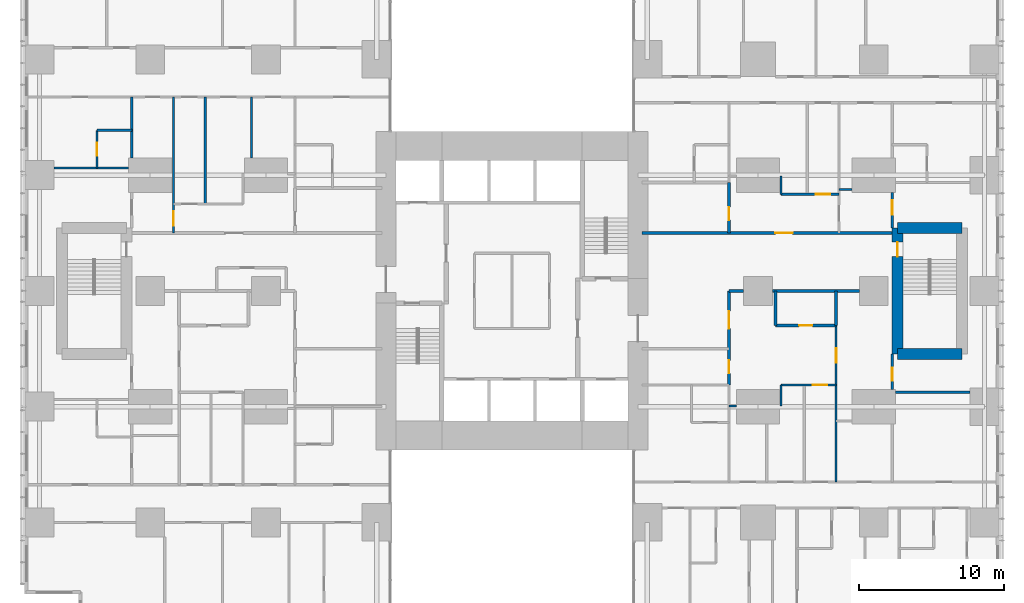
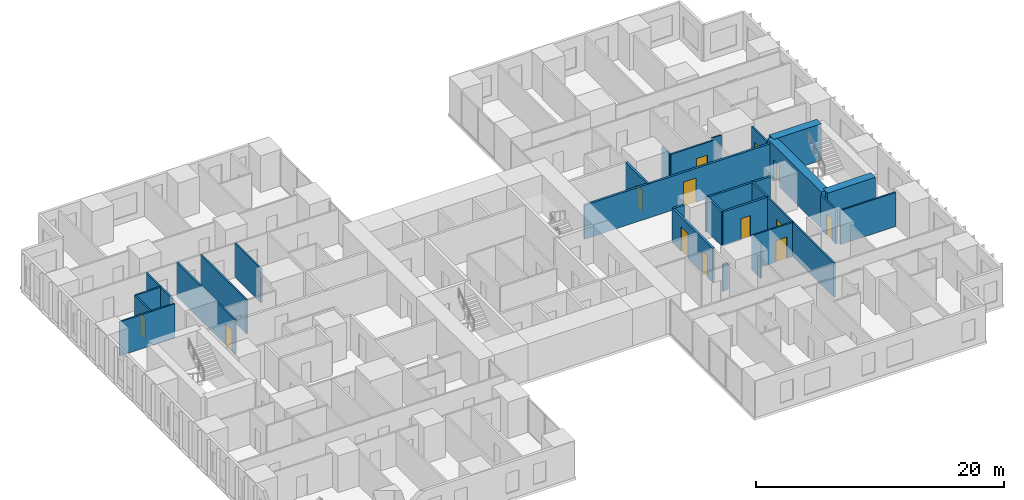
# One storey, part 16 of 20: 28 walls, 13 doors, 13 openings.
"""IFC4 building model written with IfcOpenShell, lengths in metres."""

from ifc_helpers import new_model, si_unit, direction, frame, frame_2d, origin, place, context, subcontext, project, spatial, rectangle, extrude, material, layer, layer_set, type_object, element, fill, save


model = new_model("IFC4")

# Units and contexts
model_context = context("Model", 3, precision=1e-05, world=origin(), true_north=direction((0.0, 1.0)))
body_context = subcontext(model_context, "Body", "Model", "MODEL_VIEW")
ifc_project = project(units=[si_unit("LENGTHUNIT", "METRE"), si_unit("AREAUNIT", "SQUARE_METRE"), si_unit("VOLUMEUNIT", "CUBIC_METRE"), si_unit("PLANEANGLEUNIT", "RADIAN"), si_unit("MASSUNIT", "GRAM", prefix="KILO")], contexts=[model_context])

# Site, building, storey
site_placement = place(None, origin())
site = spatial("IfcSite", under=ifc_project, at=site_placement, CompositionType="ELEMENT")
building_placement = place(site_placement, origin())
building = spatial("IfcBuilding", under=site, at=building_placement, Name="Cleftline Residences", CompositionType="ELEMENT")
storey_placement = place(building_placement, frame((0.0, 0.0, 54.800048828125)))
storey = spatial("IfcBuildingStorey", under=building, at=storey_placement, Name="L13", CompositionType="ELEMENT", Elevation=54.800048828125)

# Wall, opening, door
ifc_material_1 = material(Name="Concrete blockwork, fire rated", Category="masonry")
ifc_layer_1 = layer(ifc_material_1, 0.199951171875)
ifc_layer_set_1 = layer_set([ifc_layer_1], Name="FIRE WALL 200")
wall_type_1 = type_object("IfcWallType", Name="FIRE WALL 200", PredefinedType="PARTITIONING", material=ifc_layer_set_1)
wall_1_placement = place(storey_placement, frame((51.199951171875, 21.60009765625, 0.0), z_axis=(0.0, 0.0, 1.0), x_axis=(1.0, 0.0, 0.0)))
wall_1 = element("IfcWall", 1, at=wall_1_placement, inside=storey, type_object=wall_type_1, Name="Fire separating wall", PredefinedType="PARTITIONING", context=body_context, shape_type="SweptSolid", body=[
    extrude(rectangle(XDim=4.199951171875, YDim=0.199951171875, at=frame_2d((2.10009765625, 0.0))), origin(), (0.0, 0.0, 1.0), 3.349853515625),
])
opening_1_placement = place(wall_1_placement, frame((1.64990234375, 0.0, 0.0)))
opening_1 = element("IfcOpeningElement", 2, at=opening_1_placement, cuts=wall_1, Name="Opening D1F30", PredefinedType="OPENING", context=body_context, shape_type="SweptSolid", body=[
    extrude(rectangle(XDim=0.89990234375, YDim=2.10009765625, at=frame_2d((0.449951171875, 1.050048828125))), frame((0.0, 0.10986328125, 0.0), z_axis=(0.0, -1.0, 0.0), x_axis=(1.0, 0.0, 0.0)), (0.0, 0.0, 1.0), 0.219970703125),
])
ifc_material_2 = material(Name="Timber veneer on solid core", Category="wood")
door_type_1 = type_object("IfcDoorType", Name="DOOR 900X2100 EI 30", OperationType="SINGLE_SWING_LEFT", PredefinedType="DOOR", material=ifc_material_2)
door_1_placement = place(opening_1_placement, origin())
door_1 = element("IfcDoor", 3, at=door_1_placement, inside=storey, type_object=door_type_1, Name="Door to cloakroom wc", OperationType="SINGLE_SWING_LEFT", OverallHeight=2.10009765625, OverallWidth=0.89990234375, PredefinedType="DOOR", context=body_context, shape_type="SweptSolid", body=[
    extrude(rectangle(XDim=0.89990234375, YDim=2.10009765625, at=frame_2d((0.449951171875, 1.050048828125))), frame((0.0, 0.02490234375, 0.0), z_axis=(0.0, -1.0, 0.0), x_axis=(1.0, 0.0, 0.0)), (0.0, 0.0, 1.0), 0.050048828125),
])
fill(opening_1, door_1)

# Walls
wall_2_placement = place(storey_placement, frame((48.0, 24.0, 0.0), z_axis=(0.0, 0.0, 1.0), x_axis=(1.0, 0.0, 0.0)))
element("IfcWall", 4, at=wall_2_placement, inside=storey, type_object=wall_type_1, Name="Fire separating wall", PredefinedType="PARTITIONING", context=body_context, shape_type="SweptSolid", body=[
    extrude(rectangle(XDim=1.0, YDim=0.199951171875, at=frame_2d((0.5, 0.0))), origin(), (0.0, 0.0, 1.0), 3.349853515625),
])
wall_3_placement = place(storey_placement, frame((51.0, 24.0, 0.0), z_axis=(0.0, 0.0, 1.0), x_axis=(1.0, 0.0, 0.0)))
element("IfcWall", 5, at=wall_3_placement, inside=storey, type_object=wall_type_1, Name="Fire separating wall", PredefinedType="PARTITIONING", context=body_context, shape_type="SweptSolid", body=[
    extrude(rectangle(XDim=6.0, YDim=0.199951171875, at=frame_2d((3.0, 0.0))), origin(), (0.0, 0.0, 1.0), 3.349853515625),
])

# Wall, opening, door
wall_4_placement = place(storey_placement, frame((42.0, 28.0, 0.0), z_axis=(0.0, 0.0, 1.0), x_axis=(1.0, 0.0, 0.0)))
wall_4 = element("IfcWall", 6, at=wall_4_placement, inside=storey, type_object=wall_type_1, Name="Fire separating wall", PredefinedType="PARTITIONING", context=body_context, shape_type="SweptSolid", body=[
    extrude(rectangle(XDim=17.27490234375, YDim=0.199951171875, at=frame_2d((8.637451171875, 0.0))), origin(), (0.0, 0.0, 1.0), 3.349853515625),
])
opening_2_placement = place(wall_4_placement, frame((9.199951171875, 0.0, 0.0)))
opening_2 = element("IfcOpeningElement", 7, at=opening_2_placement, cuts=wall_4, Name="Opening D4", PredefinedType="OPENING", context=body_context, shape_type="SweptSolid", body=[
    extrude(rectangle(XDim=1.199951171875, YDim=2.39990234375, at=frame_2d((0.60009765625, 1.199951171875))), frame((0.0, 0.10986328125, 0.0), z_axis=(0.0, -1.0, 0.0), x_axis=(1.0, 0.0, 0.0)), (0.0, 0.0, 1.0), 0.219970703125),
])
ifc_material_3 = material(Name="Timber veneer on solid core", Category="wood")
door_type_2 = type_object("IfcDoorType", Name="APARTMENT ENTRANCE DOOR 1200X2400", OperationType="SINGLE_SWING_RIGHT", PredefinedType="DOOR", material=ifc_material_3)
door_2_placement = place(opening_2_placement, origin())
door_2 = element("IfcDoor", 8, at=door_2_placement, inside=storey, type_object=door_type_2, Name="Door to residence entrance foyer", OperationType="SINGLE_SWING_LEFT", OverallHeight=2.39990234375, OverallWidth=1.199951171875, PredefinedType="DOOR", context=body_context, shape_type="SweptSolid", body=[
    extrude(rectangle(XDim=1.199951171875, YDim=2.39990234375, at=frame_2d((0.60009765625, 1.199951171875))), frame((0.0, 0.02490234375, 0.0), z_axis=(0.0, -1.0, 0.0), x_axis=(1.0, 0.0, 0.0)), (0.0, 0.0, 1.0), 0.050048828125),
])
fill(opening_2, door_2)

# Wall, openings, doors
wall_5_placement = place(storey_placement, frame((48.0, 17.5, 0.0), z_axis=(0.0, 0.0, 1.0), x_axis=(0.0, 1.0, 0.0)))
wall_5 = element("IfcWall", 9, at=wall_5_placement, inside=storey, type_object=wall_type_1, Name="Fire separating wall", PredefinedType="PARTITIONING", context=body_context, shape_type="SweptSolid", body=[
    extrude(rectangle(XDim=6.5, YDim=0.199951171875, at=frame_2d((3.25, 0.0))), origin(), (0.0, 0.0, 1.0), 3.349853515625),
])
opening_3_placement = place(wall_5_placement, frame((3.89990234375, 0.0, 0.0)))
opening_3 = element("IfcOpeningElement", 10, at=opening_3_placement, cuts=wall_5, Name="Opening D4", PredefinedType="OPENING", context=body_context, shape_type="SweptSolid", body=[
    extrude(rectangle(XDim=1.199951171875, YDim=2.39990234375, at=frame_2d((0.60009765625, 1.199951171875))), frame((0.0, 0.10986328125, 0.0), z_axis=(0.0, -1.0, 0.0), x_axis=(1.0, 0.0, 0.0)), (0.0, 0.0, 1.0), 0.219970703125),
])
opening_4_placement = place(wall_5_placement, frame((0.800048828125, 0.0, 0.0)))
opening_4 = element("IfcOpeningElement", 11, at=opening_4_placement, cuts=wall_5, Name="Opening D1F30", PredefinedType="OPENING", context=body_context, shape_type="SweptSolid", body=[
    extrude(rectangle(XDim=0.89990234375, YDim=2.10009765625, at=frame_2d((0.449951171875, 1.050048828125))), frame((0.0, 0.10986328125, 0.0), z_axis=(0.0, -1.0, 0.0), x_axis=(1.0, 0.0, 0.0)), (0.0, 0.0, 1.0), 0.219970703125),
])
door_3_placement = place(opening_3_placement, origin())
door_3 = element("IfcDoor", 12, at=door_3_placement, inside=storey, type_object=door_type_2, Name="Door to residence entrance foyer", OperationType="SINGLE_SWING_LEFT", OverallHeight=2.39990234375, OverallWidth=1.199951171875, PredefinedType="DOOR", context=body_context, shape_type="SweptSolid", body=[
    extrude(rectangle(XDim=1.199951171875, YDim=2.39990234375, at=frame_2d((0.60009765625, 1.199951171875))), frame((0.0, 0.02490234375, 0.0), z_axis=(0.0, -1.0, 0.0), x_axis=(1.0, 0.0, 0.0)), (0.0, 0.0, 1.0), 0.050048828125),
])
fill(opening_3, door_3)
door_4_placement = place(opening_4_placement, origin())
door_4 = element("IfcDoor", 13, at=door_4_placement, inside=storey, type_object=door_type_1, Name="Door to laundry", OperationType="SINGLE_SWING_RIGHT", OverallHeight=2.10009765625, OverallWidth=0.89990234375, PredefinedType="DOOR", context=body_context, shape_type="SweptSolid", body=[
    extrude(rectangle(XDim=0.89990234375, YDim=2.10009765625, at=frame_2d((0.449951171875, 1.050048828125))), frame((0.0, 0.02490234375, 0.0), z_axis=(0.0, -1.0, 0.0), x_axis=(1.0, 0.0, 0.0)), (0.0, 0.0, 1.0), 0.050048828125),
])
fill(opening_4, door_4)

# Wall, opening, door
wall_6_placement = place(storey_placement, frame((48.0, 28.0, 0.0), z_axis=(0.0, 0.0, 1.0), x_axis=(0.0, 1.0, 0.0)))
wall_6 = element("IfcWall", 14, at=wall_6_placement, inside=storey, type_object=wall_type_1, Name="Fire separating wall", PredefinedType="PARTITIONING", context=body_context, shape_type="SweptSolid", body=[
    extrude(rectangle(XDim=3.5, YDim=0.199951171875, at=frame_2d((1.75, 0.0))), origin(), (0.0, 0.0, 1.0), 3.349853515625),
])
opening_5_placement = place(wall_6_placement, frame((0.887451171875, 0.0, 0.0)))
opening_5 = element("IfcOpeningElement", 15, at=opening_5_placement, cuts=wall_6, Name="Opening D1F30", PredefinedType="OPENING", context=body_context, shape_type="SweptSolid", body=[
    extrude(rectangle(XDim=0.89990234375, YDim=2.10009765625, at=frame_2d((0.449951171875, 1.050048828125))), frame((0.0, 0.10986328125, 0.0), z_axis=(0.0, -1.0, 0.0), x_axis=(1.0, 0.0, 0.0)), (0.0, 0.0, 1.0), 0.219970703125),
])
door_5_placement = place(opening_5_placement, origin())
door_5 = element("IfcDoor", 16, at=door_5_placement, inside=storey, type_object=door_type_1, Name="Door to laundry and wc", OperationType="SINGLE_SWING_RIGHT", OverallHeight=2.10009765625, OverallWidth=0.89990234375, PredefinedType="DOOR", context=body_context, shape_type="SweptSolid", body=[
    extrude(rectangle(XDim=0.89990234375, YDim=2.10009765625, at=frame_2d((0.449951171875, 1.050048828125))), frame((0.0, 0.02490234375, 0.0), z_axis=(0.0, -1.0, 0.0), x_axis=(1.0, 0.0, 0.0)), (0.0, 0.0, 1.0), 0.050048828125),
])
fill(opening_5, door_5)

# Walls
for number, where, z_axis, x_axis, name in (
    (17, (51.199951171875, 21.60009765625, 0.0), (0.0, 0.0, 1.0), (0.0, 1.0, 0.0), "Fire separating wall"),
    (18, (55.39990234375, 21.60009765625, 0.0), (0.0, 0.0, 1.0), (0.0, 1.0, 0.0), "Fire separating wall"),
):
    element("IfcWall", number, at=place(storey_placement, frame(where, z_axis=z_axis, x_axis=x_axis)), inside=storey, type_object=wall_type_1, Name=name, PredefinedType="PARTITIONING", context=body_context, shape_type="SweptSolid", body=[
        extrude(rectangle(XDim=2.39990234375, YDim=0.199951171875, at=frame_2d((1.199951171875, 0.0))), origin(), (0.0, 0.0, 1.0), 3.349853515625),
    ])
ifc_material_4 = material(Name="Gypsum board on steel studs", Category="steel")
ifc_layer_2 = layer(ifc_material_4, 0.14990234375)
ifc_layer_set_2 = layer_set([ifc_layer_2], Name="PARTITION 150")
wall_type_2 = type_object("IfcWallType", Name="PARTITION 150", PredefinedType="PARTITIONING", material=ifc_layer_set_2)
wall_7_placement = place(storey_placement, frame((48.0, 16.050048828125, 0.0), z_axis=(0.0, 0.0, 1.0), x_axis=(1.0, 0.0, 0.0)))
element("IfcWall", 19, at=wall_7_placement, inside=storey, type_object=wall_type_2, Name="Partition", PredefinedType="PARTITIONING", context=body_context, shape_type="SweptSolid", body=[
    extrude(rectangle(XDim=0.5, YDim=0.14990234375, at=frame_2d((0.25, 0.0))), origin(), (0.0, 0.0, 1.0), 2.634033203125),
])
wall_8_placement = place(storey_placement, frame((59.5, 17.0, 0.0), z_axis=(0.0, 0.0, 1.0), x_axis=(1.0, 0.0, 0.0)))
element("IfcWall", 20, at=wall_8_placement, inside=storey, type_object=wall_type_2, Name="Partition", PredefinedType="PARTITIONING", context=body_context, shape_type="SweptSolid", body=[
    extrude(rectangle(XDim=5.14990234375, YDim=0.14990234375, at=frame_2d((2.574951171875, 0.0))), origin(), (0.0, 0.0, 1.0), 3.349853515625),
])

# Wall, opening, door
wall_9_placement = place(storey_placement, frame((51.60009765625, 17.5, 0.0), z_axis=(0.0, 0.0, 1.0), x_axis=(1.0, 0.0, 0.0)))
wall_9 = element("IfcWall", 21, at=wall_9_placement, inside=storey, type_object=wall_type_2, Name="Partition", PredefinedType="PARTITIONING", context=body_context, shape_type="SweptSolid", body=[
    extrude(rectangle(XDim=3.7998046875, YDim=0.14990234375, at=frame_2d((1.89990234375, 0.0))), origin(), (0.0, 0.0, 1.0), 3.349853515625),
])
opening_6_placement = place(wall_9_placement, frame((2.199951171875, 0.0, 0.0)))
opening_6 = element("IfcOpeningElement", 22, at=opening_6_placement, cuts=wall_9, Name="Opening D2", PredefinedType="OPENING", context=body_context, shape_type="SweptSolid", body=[
    extrude(rectangle(XDim=1.0, YDim=2.10009765625, at=frame_2d((0.5, 1.050048828125))), frame((0.0, 0.0849609375, 0.0), z_axis=(0.0, -1.0, 0.0), x_axis=(1.0, 0.0, 0.0)), (0.0, 0.0, 1.0), 0.169921875),
])
ifc_material_5 = material(Name="Timber veneer on solid core", Category="wood")
door_type_3 = type_object("IfcDoorType", Name="DOOR 1000X2100", OperationType="SINGLE_SWING_LEFT", PredefinedType="DOOR", material=ifc_material_5)
door_6_placement = place(opening_6_placement, origin())
door_6 = element("IfcDoor", 23, at=door_6_placement, inside=storey, type_object=door_type_3, Name="Door to residence passage", OperationType="SINGLE_SWING_LEFT", OverallHeight=2.10009765625, OverallWidth=1.0, PredefinedType="DOOR", context=body_context, shape_type="SweptSolid", body=[
    extrude(rectangle(XDim=1.0, YDim=2.10009765625, at=frame_2d((0.5, 1.050048828125))), frame((0.0, 0.02490234375, 0.0), z_axis=(0.0, -1.0, 0.0), x_axis=(1.0, 0.0, 0.0)), (0.0, 0.0, 1.0), 0.050048828125),
])
fill(opening_6, door_6)

wall_10_placement = place(storey_placement, frame((51.60009765625, 30.675048828125, 0.0), z_axis=(0.0, 0.0, 1.0), x_axis=(1.0, 0.0, 0.0)))
wall_10 = element("IfcWall", 24, at=wall_10_placement, inside=storey, type_object=wall_type_2, Name="Partition", PredefinedType="PARTITIONING", context=body_context, shape_type="SweptSolid", body=[
    extrude(rectangle(XDim=4.0, YDim=0.14990234375, at=frame_2d((2.0, 0.0))), origin(), (0.0, 0.0, 1.0), 3.349853515625),
])
opening_7_placement = place(wall_10_placement, frame((2.39990234375, 0.0, 0.0)))
opening_7 = element("IfcOpeningElement", 25, at=opening_7_placement, cuts=wall_10, Name="Opening D2", PredefinedType="OPENING", context=body_context, shape_type="SweptSolid", body=[
    extrude(rectangle(XDim=1.0, YDim=2.10009765625, at=frame_2d((0.5, 1.050048828125))), frame((0.0, 0.0849609375, 0.0), z_axis=(0.0, -1.0, 0.0), x_axis=(1.0, 0.0, 0.0)), (0.0, 0.0, 1.0), 0.169921875),
])
door_7_placement = place(opening_7_placement, origin())
door_7 = element("IfcDoor", 26, at=door_7_placement, inside=storey, type_object=door_type_3, Name="Door to residence passage", OperationType="SINGLE_SWING_LEFT", OverallHeight=2.10009765625, OverallWidth=1.0, PredefinedType="DOOR", context=body_context, shape_type="SweptSolid", body=[
    extrude(rectangle(XDim=1.0, YDim=2.10009765625, at=frame_2d((0.5, 1.050048828125))), frame((0.0, 0.02490234375, 0.0), z_axis=(0.0, -1.0, 0.0), x_axis=(1.0, 0.0, 0.0)), (0.0, 0.0, 1.0), 0.050048828125),
])
fill(opening_7, door_7)

# Walls
wall_11_placement = place(storey_placement, frame((55.60009765625, 31.0, 0.0), z_axis=(0.0, 0.0, 1.0), x_axis=(1.0, 0.0, 0.0)))
element("IfcWall", 27, at=wall_11_placement, inside=storey, type_object=wall_type_2, Name="Partition", PredefinedType="PARTITIONING", context=body_context, shape_type="SweptSolid", body=[
    extrude(rectangle(XDim=0.89990234375, YDim=0.14990234375, at=frame_2d((0.449951171875, 0.0))), origin(), (0.0, 0.0, 1.0), 3.349853515625),
])
wall_12_placement = place(storey_placement, frame((1.35009765625, 32.5, 0.0), z_axis=(0.0, 0.0, 1.0), x_axis=(1.0, 0.0, 0.0)))
element("IfcWall", 28, at=wall_12_placement, inside=storey, type_object=wall_type_2, Name="Partition", PredefinedType="PARTITIONING", context=body_context, shape_type="SweptSolid", body=[
    extrude(rectangle(XDim=5.14990234375, YDim=0.14990234375, at=frame_2d((2.574951171875, 0.0))), origin(), (0.0, 0.0, 1.0), 3.349853515625),
])
wall_13_placement = place(storey_placement, frame((4.324951171875, 35.10009765625, 0.0), z_axis=(0.0, 0.0, 1.0), x_axis=(1.0, 0.0, 0.0)))
element("IfcWall", 29, at=wall_13_placement, inside=storey, type_object=wall_type_2, Name="Partition", PredefinedType="PARTITIONING", context=body_context, shape_type="SweptSolid", body=[
    extrude(rectangle(XDim=2.400146484375, YDim=0.14990234375, at=frame_2d((1.2001953125, 0.0))), origin(), (0.0, 0.0, 1.0), 3.349853515625),
])

# Wall, opening, door
wall_14_placement = place(storey_placement, frame((4.324951171875, 32.5, 0.0), z_axis=(0.0, 0.0, 1.0), x_axis=(0.0, 1.0, 0.0)))
wall_14 = element("IfcWall", 30, at=wall_14_placement, inside=storey, type_object=wall_type_2, Name="Partition", PredefinedType="PARTITIONING", context=body_context, shape_type="SweptSolid", body=[
    extrude(rectangle(XDim=2.60009765625, YDim=0.14990234375, at=frame_2d((1.300048828125, 0.0))), origin(), (0.0, 0.0, 1.0), 3.349853515625),
])
opening_8_placement = place(wall_14_placement, frame((0.85009765625, 0.0, 0.0)))
opening_8 = element("IfcOpeningElement", 31, at=opening_8_placement, cuts=wall_14, Name="Opening D1", PredefinedType="OPENING", context=body_context, shape_type="SweptSolid", body=[
    extrude(rectangle(XDim=0.89990234375, YDim=2.10009765625, at=frame_2d((0.449951171875, 1.050048828125))), frame((0.0, 0.0849609375, 0.0), z_axis=(0.0, -1.0, 0.0), x_axis=(1.0, 0.0, 0.0)), (0.0, 0.0, 1.0), 0.169921875),
])
ifc_material_6 = material(Name="Timber veneer on solid core", Category="wood")
door_type_4 = type_object("IfcDoorType", Name="DOOR 900X2100", OperationType="SINGLE_SWING_LEFT", PredefinedType="DOOR", material=ifc_material_6)
door_8_placement = place(opening_8_placement, origin())
door_8 = element("IfcDoor", 32, at=door_8_placement, inside=storey, type_object=door_type_4, Name="Door to en-suite bathroom 2", OperationType="SINGLE_SWING_LEFT", OverallHeight=2.10009765625, OverallWidth=0.89990234375, PredefinedType="DOOR", context=body_context, shape_type="SweptSolid", body=[
    extrude(rectangle(XDim=0.89990234375, YDim=2.10009765625, at=frame_2d((0.449951171875, 1.050048828125))), frame((0.0, 0.02490234375, 0.0), z_axis=(0.0, -1.0, 0.0), x_axis=(1.0, 0.0, 0.0)), (0.0, 0.0, 1.0), 0.050048828125),
])
fill(opening_8, door_8)

# Wall
wall_15_placement = place(storey_placement, frame((6.72509765625, 33.199951171875, 0.0), z_axis=(0.0, 0.0, 1.0), x_axis=(0.0, 1.0, 0.0)))
element("IfcWall", 33, at=wall_15_placement, inside=storey, type_object=wall_type_2, Name="Partition", PredefinedType="PARTITIONING", context=body_context, shape_type="SweptSolid", body=[
    extrude(rectangle(XDim=4.199951171875, YDim=0.14990234375, at=frame_2d((2.10009765625, 0.0))), origin(), (0.0, 0.0, 1.0), 3.349853515625),
])

# Wall, opening, door
wall_16_placement = place(storey_placement, frame((9.60009765625, 28.0, 0.0), z_axis=(0.0, 0.0, 1.0), x_axis=(0.0, 1.0, 0.0)))
wall_16 = element("IfcWall", 34, at=wall_16_placement, inside=storey, type_object=wall_type_2, Name="Partition", PredefinedType="PARTITIONING", context=body_context, shape_type="SweptSolid", body=[
    extrude(rectangle(XDim=9.39990234375, YDim=0.14990234375, at=frame_2d((4.699951171875, 0.0))), origin(), (0.0, 0.0, 1.0), 3.349853515625),
])
opening_9_placement = place(wall_16_placement, frame((0.5, 0.0, 0.0)))
opening_9 = element("IfcOpeningElement", 35, at=opening_9_placement, cuts=wall_16, Name="Opening D2F30", PredefinedType="OPENING", context=body_context, shape_type="SweptSolid", body=[
    extrude(rectangle(XDim=1.0, YDim=2.10009765625, at=frame_2d((0.5, 1.050048828125))), frame((0.0, 0.0849609375, 0.0), z_axis=(0.0, -1.0, 0.0), x_axis=(1.0, 0.0, 0.0)), (0.0, 0.0, 1.0), 0.169921875),
])
ifc_material_7 = material(Name="Timber veneer on solid core", Category="wood")
door_type_5 = type_object("IfcDoorType", Name="DOOR 1000X2100 EI 30", OperationType="SINGLE_SWING_LEFT", PredefinedType="DOOR", material=ifc_material_7)
door_9_placement = place(opening_9_placement, origin())
door_9 = element("IfcDoor", 36, at=door_9_placement, inside=storey, type_object=door_type_5, Name="Door to residence lobby (service)", OperationType="SINGLE_SWING_RIGHT", OverallHeight=2.10009765625, OverallWidth=1.0, PredefinedType="DOOR", context=body_context, shape_type="SweptSolid", body=[
    extrude(rectangle(XDim=1.0, YDim=2.10009765625, at=frame_2d((0.5, 1.050048828125))), frame((0.0, 0.02490234375, 0.0), z_axis=(0.0, -1.0, 0.0), x_axis=(1.0, 0.0, 0.0)), (0.0, 0.0, 1.0), 0.050048828125),
])
fill(opening_9, door_9)

# Walls
wall_17_placement = place(storey_placement, frame((11.800048828125, 30.0, 0.0), z_axis=(0.0, 0.0, 1.0), x_axis=(0.0, 1.0, 0.0)))
element("IfcWall", 37, at=wall_17_placement, inside=storey, type_object=wall_type_2, Name="Partition", PredefinedType="PARTITIONING", context=body_context, shape_type="SweptSolid", body=[
    extrude(rectangle(XDim=7.39990234375, YDim=0.14990234375, at=frame_2d((3.699951171875, 0.0))), origin(), (0.0, 0.0, 1.0), 3.349853515625),
])
wall_18_placement = place(storey_placement, frame((15.0, 33.199951171875, 0.0), z_axis=(0.0, 0.0, 1.0), x_axis=(0.0, 1.0, 0.0)))
element("IfcWall", 38, at=wall_18_placement, inside=storey, type_object=wall_type_2, Name="Partition", PredefinedType="PARTITIONING", context=body_context, shape_type="SweptSolid", body=[
    extrude(rectangle(XDim=4.199951171875, YDim=0.14990234375, at=frame_2d((2.10009765625, 0.0))), origin(), (0.0, 0.0, 1.0), 3.349853515625),
])
wall_19_placement = place(storey_placement, frame((51.60009765625, 16.050048828125, 0.0), z_axis=(0.0, 0.0, 1.0), x_axis=(0.0, 1.0, 0.0)))
element("IfcWall", 39, at=wall_19_placement, inside=storey, type_object=wall_type_2, Name="Partition", PredefinedType="PARTITIONING", context=body_context, shape_type="SweptSolid", body=[
    extrude(rectangle(XDim=1.449951171875, YDim=0.14990234375, at=frame_2d((0.72509765625, 0.0))), origin(), (0.0, 0.0, 1.0), 3.349853515625),
])
wall_20_placement = place(storey_placement, frame((51.60009765625, 30.675048828125, 0.0), z_axis=(0.0, 0.0, 1.0), x_axis=(0.0, 1.0, 0.0)))
element("IfcWall", 40, at=wall_20_placement, inside=storey, type_object=wall_type_2, Name="Partition", PredefinedType="PARTITIONING", context=body_context, shape_type="SweptSolid", body=[
    extrude(rectangle(XDim=1.27490234375, YDim=0.14990234375, at=frame_2d((0.637451171875, 0.0))), origin(), (0.0, 0.0, 1.0), 3.349853515625),
])

# Wall, opening, door
wall_21_placement = place(storey_placement, frame((55.39990234375, 10.800048828125, 0.0), z_axis=(0.0, 0.0, 1.0), x_axis=(0.0, 1.0, 0.0)))
wall_21 = element("IfcWall", 41, at=wall_21_placement, inside=storey, type_object=wall_type_2, Name="Partition", PredefinedType="PARTITIONING", context=body_context, shape_type="SweptSolid", body=[
    extrude(rectangle(XDim=10.800048828125, YDim=0.14990234375, at=frame_2d((5.39990234375, 0.0))), origin(), (0.0, 0.0, 1.0), 3.349853515625),
])
opening_10_placement = place(wall_21_placement, frame((8.25, 0.0, 0.0)))
opening_10 = element("IfcOpeningElement", 42, at=opening_10_placement, cuts=wall_21, Name="Opening D2F30", PredefinedType="OPENING", context=body_context, shape_type="SweptSolid", body=[
    extrude(rectangle(XDim=1.0, YDim=2.10009765625, at=frame_2d((0.5, 1.050048828125))), frame((0.0, 0.0849609375, 0.0), z_axis=(0.0, -1.0, 0.0), x_axis=(1.0, 0.0, 0.0)), (0.0, 0.0, 1.0), 0.169921875),
])
door_10_placement = place(opening_10_placement, origin())
door_10 = element("IfcDoor", 43, at=door_10_placement, inside=storey, type_object=door_type_5, Name="Door to residence lobby (service)", OperationType="SINGLE_SWING_LEFT", OverallHeight=2.10009765625, OverallWidth=1.0, PredefinedType="DOOR", context=body_context, shape_type="SweptSolid", body=[
    extrude(rectangle(XDim=1.0, YDim=2.10009765625, at=frame_2d((0.5, 1.050048828125))), frame((0.0, 0.02490234375, 0.0), z_axis=(0.0, -1.0, 0.0), x_axis=(1.0, 0.0, 0.0)), (0.0, 0.0, 1.0), 0.050048828125),
])
fill(opening_10, door_10)

wall_22_placement = place(storey_placement, frame((59.27490234375, 17.199951171875, 0.0), z_axis=(0.0, 0.0, 1.0), x_axis=(0.0, 1.0, 0.0)))
wall_22 = element("IfcWall", 44, at=wall_22_placement, inside=storey, type_object=wall_type_2, Name="Partition", PredefinedType="PARTITIONING", context=body_context, shape_type="SweptSolid", body=[
    extrude(rectangle(XDim=2.449951171875, YDim=0.14990234375, at=frame_2d((1.22509765625, 0.0))), origin(), (0.0, 0.0, 1.0), 3.349853515625),
])
opening_11_placement = place(wall_22_placement, frame((0.58740234375, 0.0, 0.0)))
opening_11 = element("IfcOpeningElement", 45, at=opening_11_placement, cuts=wall_22, Name="Opening D1", PredefinedType="OPENING", context=body_context, shape_type="SweptSolid", body=[
    extrude(rectangle(XDim=0.89990234375, YDim=2.10009765625, at=frame_2d((0.449951171875, 1.050048828125))), frame((0.0, 0.0849609375, 0.0), z_axis=(0.0, -1.0, 0.0), x_axis=(1.0, 0.0, 0.0)), (0.0, 0.0, 1.0), 0.169921875),
])
door_11_placement = place(opening_11_placement, origin())
door_11 = element("IfcDoor", 46, at=door_11_placement, inside=storey, type_object=door_type_4, Name="Door to drying loggia", OperationType="SINGLE_SWING_RIGHT", OverallHeight=2.10009765625, OverallWidth=0.89990234375, PredefinedType="DOOR", context=body_context, shape_type="SweptSolid", body=[
    extrude(rectangle(XDim=0.89990234375, YDim=2.10009765625, at=frame_2d((0.449951171875, 1.050048828125))), frame((0.0, 0.02490234375, 0.0), z_axis=(0.0, -1.0, 0.0), x_axis=(1.0, 0.0, 0.0)), (0.0, 0.0, 1.0), 0.050048828125),
])
fill(opening_11, door_11)

wall_23_placement = place(storey_placement, frame((59.27490234375, 28.35009765625, 0.0), z_axis=(0.0, 0.0, 1.0), x_axis=(0.0, 1.0, 0.0)))
wall_23 = element("IfcWall", 47, at=wall_23_placement, inside=storey, type_object=wall_type_2, Name="Partition", PredefinedType="PARTITIONING", context=body_context, shape_type="SweptSolid", body=[
    extrude(rectangle(XDim=2.449951171875, YDim=0.14990234375, at=frame_2d((1.22509765625, 0.0))), origin(), (0.0, 0.0, 1.0), 3.349853515625),
])
opening_12_placement = place(wall_23_placement, frame((0.91259765625, 0.0, 0.0)))
opening_12 = element("IfcOpeningElement", 48, at=opening_12_placement, cuts=wall_23, Name="Opening D2", PredefinedType="OPENING", context=body_context, shape_type="SweptSolid", body=[
    extrude(rectangle(XDim=1.0, YDim=2.10009765625, at=frame_2d((0.5, 1.050048828125))), frame((0.0, 0.0849609375, 0.0), z_axis=(0.0, -1.0, 0.0), x_axis=(1.0, 0.0, 0.0)), (0.0, 0.0, 1.0), 0.169921875),
])
door_12_placement = place(opening_12_placement, origin())
door_12 = element("IfcDoor", 49, at=door_12_placement, inside=storey, type_object=door_type_3, Name="Door to winter garden", OperationType="SINGLE_SWING_LEFT", OverallHeight=2.10009765625, OverallWidth=1.0, PredefinedType="DOOR", context=body_context, shape_type="SweptSolid", body=[
    extrude(rectangle(XDim=1.0, YDim=2.10009765625, at=frame_2d((0.5, 1.050048828125))), frame((0.0, 0.02490234375, 0.0), z_axis=(0.0, -1.0, 0.0), x_axis=(1.0, 0.0, 0.0)), (0.0, 0.0, 1.0), 0.050048828125),
])
fill(opening_12, door_12)

# Walls
ifc_material_8 = material(Name="Concrete B70", Category="concrete")
ifc_layer_3 = layer(ifc_material_8, 0.75)
ifc_layer_set_3 = layer_set([ifc_layer_3], Name="SHEAR WALL 750")
wall_type_3 = type_object("IfcWallType", Name="SHEAR WALL 750", PredefinedType="SHEAR", material=ifc_layer_set_3)
for number, where, z_axis, x_axis, name in (
    (50, (59.64990234375, 19.64990234375, 0.0), (0.0, 0.0, 1.0), (1.0, 0.0, 0.0), "Wing shear wall"),
    (51, (64.10009765625, 28.35009765625, 0.0), (0.0, 0.0, 1.0), (-1.0, 0.0, 0.0), "Wing shear wall"),
):
    element("IfcWall", number, at=place(storey_placement, frame(where, z_axis=z_axis, x_axis=x_axis)), inside=storey, type_object=wall_type_3, Name=name, PredefinedType="SHEAR", context=body_context, shape_type="SweptSolid", body=[
        extrude(rectangle(XDim=4.4501953125, YDim=0.75, at=frame_2d((2.22509765625, 0.0))), origin(), (0.0, 0.0, 1.0), 3.599853515625),
    ])

# Wall, opening, door
wall_24_placement = place(storey_placement, frame((59.64990234375, 28.35009765625, 0.0), z_axis=(0.0, 0.0, 1.0), x_axis=(0.0, -1.0, 0.0)))
wall_24 = element("IfcWall", 52, at=wall_24_placement, inside=storey, type_object=wall_type_3, Name="Wing shear wall", PredefinedType="SHEAR", context=body_context, shape_type="SweptSolid", body=[
    extrude(rectangle(XDim=8.7001953125, YDim=0.75, at=frame_2d((4.35009765625, 0.0))), origin(), (0.0, 0.0, 1.0), 3.599853515625),
])
opening_13_placement = place(wall_24_placement, frame((0.97509765625, 0.0, 0.0)))
opening_13 = element("IfcOpeningElement", 53, at=opening_13_placement, cuts=wall_24, Name="Opening D5", PredefinedType="OPENING", context=body_context, shape_type="SweptSolid", body=[
    extrude(rectangle(XDim=1.0, YDim=2.10009765625, at=frame_2d((0.5, 1.050048828125))), frame((0.0, 0.385009765625, 0.0), z_axis=(0.0, -1.0, 0.0), x_axis=(1.0, 0.0, 0.0)), (0.0, 0.0, 1.0), 0.77001953125),
])
ifc_material_9 = material(Name="Steel", Category="steel")
door_type_6 = type_object("IfcDoorType", Name="STAIR DOOR 1000X2100", OperationType="SINGLE_SWING_LEFT", PredefinedType="DOOR", material=ifc_material_9)
door_13_placement = place(opening_13_placement, origin())
door_13 = element("IfcDoor", 54, at=door_13_placement, inside=storey, type_object=door_type_6, Name="Stair E door", OperationType="SINGLE_SWING_RIGHT", OverallHeight=2.10009765625, OverallWidth=1.0, PredefinedType="DOOR", context=body_context, shape_type="SweptSolid", body=[
    extrude(rectangle(XDim=1.0, YDim=2.10009765625, at=frame_2d((0.5, 1.050048828125))), frame((0.0, 0.02490234375, 0.0), z_axis=(0.0, -1.0, 0.0), x_axis=(1.0, 0.0, 0.0)), (0.0, 0.0, 1.0), 0.050048828125),
])
fill(opening_13, door_13)

save(model, "model.ifc")
